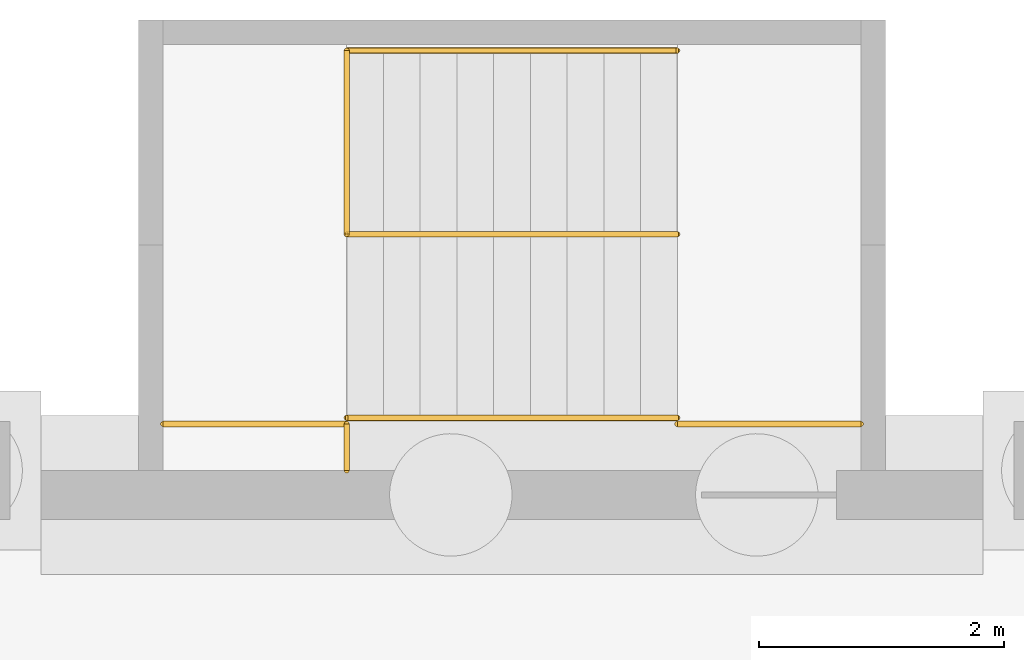
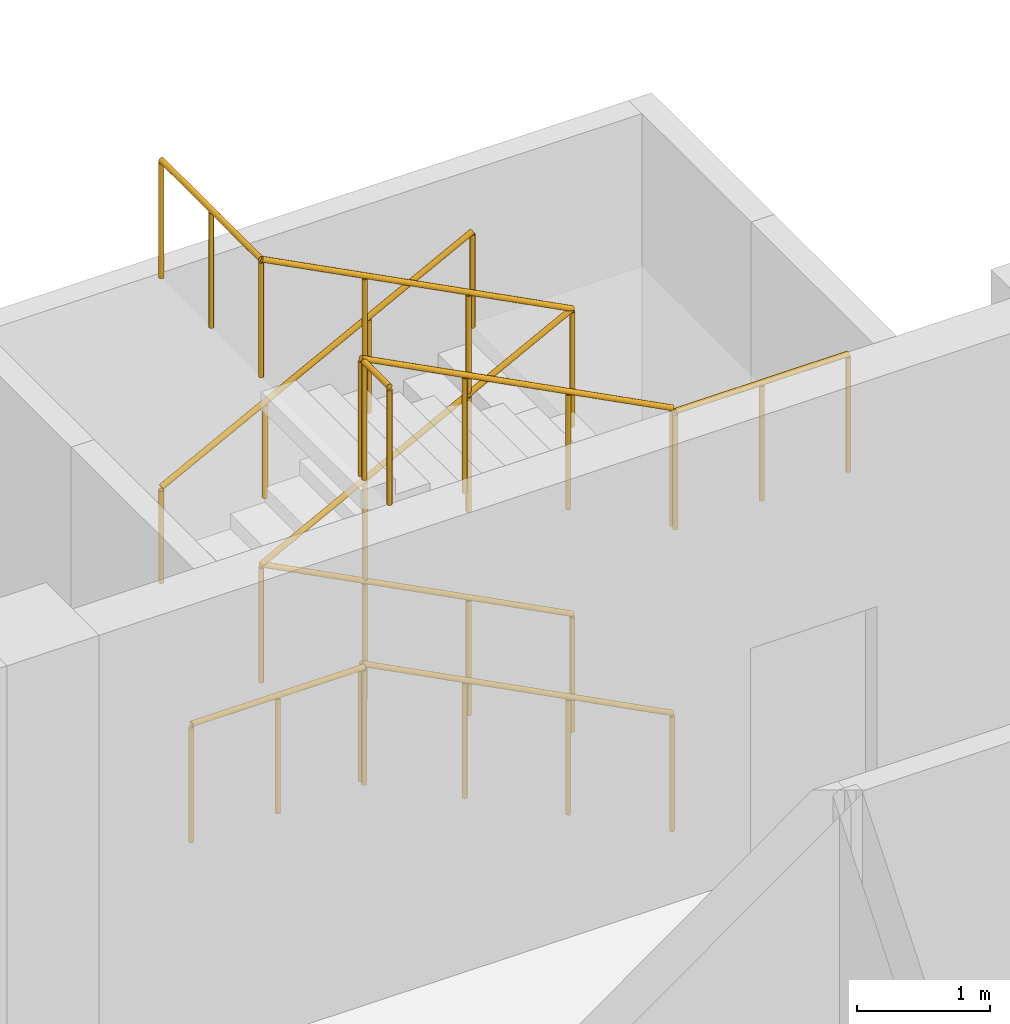
# One storey, part 26 of 29: 10 railings.
"""IFC4 building model written with IfcOpenShell, lengths in metres."""

from ifc_helpers import new_model, si_unit, direction, frame, origin, origin_2d, place, context, subcontext, project, spatial, circle, extrude, material, type_object, element, save


model = new_model("IFC4")

# Units and contexts
model_context = context("Model", 3, precision=1e-05, world=origin(), true_north=direction((0.0, 1.0)))
body_context = subcontext(model_context, "Body", "Model", "MODEL_VIEW")
ifc_project = project(units=[si_unit("LENGTHUNIT", "METRE"), si_unit("AREAUNIT", "SQUARE_METRE"), si_unit("VOLUMEUNIT", "CUBIC_METRE"), si_unit("PLANEANGLEUNIT", "RADIAN"), si_unit("MASSUNIT", "GRAM", prefix="KILO")], contexts=[model_context])

# Site, building, storey
site_placement = place(None, origin())
site = spatial("IfcSite", under=ifc_project, at=site_placement, CompositionType="ELEMENT")
building_placement = place(site_placement, origin())
building = spatial("IfcBuilding", under=site, at=building_placement, Name="Aravalli Gate Trade Fair Centre", CompositionType="ELEMENT")
storey_placement = place(building_placement, frame((0.0, 0.0, -8.39990234375)))
storey = spatial("IfcBuildingStorey", under=building, at=storey_placement, Name="B2", CompositionType="ELEMENT", Elevation=-8.39990234375)

# Railings
ifc_material = material(Name="Steel E350", Category="steel")
railing_type_1 = type_object("IfcRailingType", Name="Basement stair guard 1100", PredefinedType="GUARDRAIL", material=ifc_material)
railing_1_placement = place(storey_placement, frame((119.85009765625, 134.929931640625, 0.0)))
element("IfcRailing", 1, at=railing_1_placement, inside=storey, type_object=railing_type_1, Name="Basement stair N4 guard A B2", PredefinedType="GUARDRAIL", context=body_context, shape_type="SweptSolid", body=[
    extrude(circle(Radius=0.02392578125, at=origin_2d()), frame((0.0, 0.0, 1.076171875), z_axis=(-0.887781257544, 0.0, 0.460265617609), x_axis=(0.0, -1.0, 0.0)), (0.0, 0.0, 1.0), 3.04150390625),
    extrude(circle(Radius=0.02099609375, at=origin_2d()), origin(), (0.0, 0.0, 1.0), 1.052001953125),
    extrude(circle(Radius=0.02099609375, at=origin_2d()), frame((-0.900146484375, 0.0, 0.466552734375)), (0.0, 0.0, 1.0), 1.052001953125),
    extrude(circle(Radius=0.02099609375, at=origin_2d()), frame((-1.800048828125, 0.0, 0.933349609375)), (0.0, 0.0, 1.0), 1.052001953125),
    extrude(circle(Radius=0.02099609375, at=origin_2d()), frame((-2.7001953125, 0.0, 1.39990234375)), (0.0, 0.0, 1.0), 1.052001953125),
])
railing_2_placement = place(storey_placement, frame((117.14990234375, 134.929931640625, 1.39990234375)))
element("IfcRailing", 2, at=railing_2_placement, inside=storey, type_object=railing_type_1, Name="Basement stair N4 guard B B2", PredefinedType="GUARDRAIL", context=body_context, shape_type="SweptSolid", body=[
    extrude(circle(Radius=0.02392578125, at=origin_2d()), frame((0.0, 0.0, 1.076171875), z_axis=(0.887781257544, 0.0, 0.460265617609), x_axis=(0.0, 1.0, 0.0)), (0.0, 0.0, 1.0), 3.04150390625),
    extrude(circle(Radius=0.02099609375, at=origin_2d()), origin(), (0.0, 0.0, 1.0), 1.052001953125),
    extrude(circle(Radius=0.02099609375, at=origin_2d()), frame((0.900146484375, 0.0, 0.466552734375)), (0.0, 0.0, 1.0), 1.052001953125),
    extrude(circle(Radius=0.02099609375, at=origin_2d()), frame((1.800048828125, 0.0, 0.933349609375)), (0.0, 0.0, 1.0), 1.052001953125),
    extrude(circle(Radius=0.02099609375, at=origin_2d()), frame((2.7001953125, 0.0, 1.39990234375)), (0.0, 0.0, 1.0), 1.052001953125),
])
railing_3_placement = place(storey_placement, frame((119.85009765625, 134.929931640625, 2.7998046875)))
element("IfcRailing", 3, at=railing_3_placement, inside=storey, type_object=railing_type_1, Name="Basement stair N4 guard C B2", PredefinedType="GUARDRAIL", context=body_context, shape_type="SweptSolid", body=[
    extrude(circle(Radius=0.02392578125, at=origin_2d()), frame((0.0, 0.0, 1.076171875), z_axis=(-0.887748457143, 0.0, 0.460328878998), x_axis=(0.0, -1.0, 0.0)), (0.0, 0.0, 1.0), 3.04150390625),
    extrude(circle(Radius=0.02099609375, at=origin_2d()), origin(), (0.0, 0.0, 1.0), 1.052001953125),
    extrude(circle(Radius=0.02099609375, at=origin_2d()), frame((-0.900146484375, 0.0, 0.466796875)), (0.0, 0.0, 1.0), 1.052001953125),
    extrude(circle(Radius=0.02099609375, at=origin_2d()), frame((-1.800048828125, 0.0, 0.933349609375)), (0.0, 0.0, 1.0), 1.052001953125),
    extrude(circle(Radius=0.02099609375, at=origin_2d()), frame((-2.7001953125, 0.0, 1.400146484375)), (0.0, 0.0, 1.0), 1.052001953125),
])
railing_4_placement = place(storey_placement, frame((119.85009765625, 133.429931640625, 0.0)))
element("IfcRailing", 4, at=railing_4_placement, inside=storey, type_object=railing_type_1, Name="Basement stair N4 guard A B2", PredefinedType="GUARDRAIL", context=body_context, shape_type="SweptSolid", body=[
    extrude(circle(Radius=0.02392578125, at=origin_2d()), frame((0.0, 0.0, 1.076171875), z_axis=(-0.887781257544, 0.0, 0.460265617609), x_axis=(0.0, -1.0, 0.0)), (0.0, 0.0, 1.0), 3.04150390625),
    extrude(circle(Radius=0.02099609375, at=origin_2d()), origin(), (0.0, 0.0, 1.0), 1.052001953125),
    extrude(circle(Radius=0.02099609375, at=origin_2d()), frame((-0.900146484375, 0.0, 0.466552734375)), (0.0, 0.0, 1.0), 1.052001953125),
    extrude(circle(Radius=0.02099609375, at=origin_2d()), frame((-1.800048828125, 0.0, 0.933349609375)), (0.0, 0.0, 1.0), 1.052001953125),
    extrude(circle(Radius=0.02099609375, at=origin_2d()), frame((-2.7001953125, 0.0, 1.39990234375)), (0.0, 0.0, 1.0), 1.052001953125),
])
railing_5_placement = place(storey_placement, frame((119.85009765625, 133.429931640625, 2.7998046875)))
element("IfcRailing", 5, at=railing_5_placement, inside=storey, type_object=railing_type_1, Name="Basement stair N4 guard C B2", PredefinedType="GUARDRAIL", context=body_context, shape_type="SweptSolid", body=[
    extrude(circle(Radius=0.02392578125, at=origin_2d()), frame((0.0, 0.0, 1.076171875), z_axis=(-0.887748457143, 0.0, 0.460328878998), x_axis=(0.0, -1.0, 0.0)), (0.0, 0.0, 1.0), 3.04150390625),
    extrude(circle(Radius=0.02099609375, at=origin_2d()), origin(), (0.0, 0.0, 1.0), 1.052001953125),
    extrude(circle(Radius=0.02099609375, at=origin_2d()), frame((-0.900146484375, 0.0, 0.466796875)), (0.0, 0.0, 1.0), 1.052001953125),
    extrude(circle(Radius=0.02099609375, at=origin_2d()), frame((-1.800048828125, 0.0, 0.933349609375)), (0.0, 0.0, 1.0), 1.052001953125),
    extrude(circle(Radius=0.02099609375, at=origin_2d()), frame((-2.7001953125, 0.0, 1.400146484375)), (0.0, 0.0, 1.0), 1.052001953125),
])
for number, where, name in (
    (6, (117.14990234375, 133.3798828125, 1.39990234375), "Basement stair N4 landing edge guard 1 B2"),
    (7, (121.35009765625, 133.3798828125, 2.7998046875), "Basement stair N4 landing edge guard 2 B2"),
):
    element("IfcRailing", number, at=place(storey_placement, frame(where)), inside=storey, type_object=railing_type_1, Name=name, PredefinedType="GUARDRAIL", context=body_context, shape_type="SweptSolid", body=[
        extrude(circle(Radius=0.02392578125, at=origin_2d()), frame((0.0, 0.0, 1.076171875), z_axis=(-1.0, 0.0, 0.0), x_axis=(0.0, -1.0, 0.0)), (0.0, 0.0, 1.0), 1.5),
        extrude(circle(Radius=0.02099609375, at=origin_2d()), origin(), (0.0, 0.0, 1.0), 1.052001953125),
        extrude(circle(Radius=0.02099609375, at=origin_2d()), frame((-0.75, 0.0, 0.0)), (0.0, 0.0, 1.0), 1.052001953125),
        extrude(circle(Radius=0.02099609375, at=origin_2d()), frame((-1.5, 0.0, 0.0)), (0.0, 0.0, 1.0), 1.052001953125),
    ])
railing_6_placement = place(storey_placement, frame((117.14990234375, 133.0, 4.199951171875)))
element("IfcRailing", 8, at=railing_6_placement, inside=storey, type_object=railing_type_1, Name="Basement stair N4 strip guard B2", PredefinedType="GUARDRAIL", context=body_context, shape_type="SweptSolid", body=[
    extrude(circle(Radius=0.02392578125, at=origin_2d()), frame((0.0, 0.0, 1.076171875), z_axis=(0.0, 1.0, 0.0), x_axis=(-1.0, 0.0, 0.0)), (0.0, 0.0, 1.0), 0.3798828125),
    extrude(circle(Radius=0.02099609375, at=origin_2d()), origin(), (0.0, 0.0, 1.0), 1.052001953125),
    extrude(circle(Radius=0.02099609375, at=origin_2d()), frame((0.0, 0.3798828125, 0.0)), (0.0, 0.0, 1.0), 1.052001953125),
])
railing_7_placement = place(storey_placement, frame((117.14990234375, 134.929931640625, 4.199951171875)))
element("IfcRailing", 9, at=railing_7_placement, inside=storey, type_object=railing_type_1, Name="Basement stair N4 well guard B2", PredefinedType="GUARDRAIL", context=body_context, shape_type="SweptSolid", body=[
    extrude(circle(Radius=0.02392578125, at=origin_2d()), frame((0.0, 0.0, 1.076171875), z_axis=(0.0, 1.0, 0.0), x_axis=(-1.0, 0.0, 0.0)), (0.0, 0.0, 1.0), 1.5),
    extrude(circle(Radius=0.02099609375, at=origin_2d()), origin(), (0.0, 0.0, 1.0), 1.052001953125),
    extrude(circle(Radius=0.02099609375, at=origin_2d()), frame((0.0, 0.75, 0.0)), (0.0, 0.0, 1.0), 1.052001953125),
    extrude(circle(Radius=0.02099609375, at=origin_2d()), frame((0.0, 1.5, 0.0)), (0.0, 0.0, 1.0), 1.052001953125),
])
railing_type_2 = type_object("IfcRailingType", Name="Basement stair handrail 900", PredefinedType="HANDRAIL", material=ifc_material)
railing_8_placement = place(storey_placement, frame((117.14990234375, 136.429931640625, 1.39990234375)))
element("IfcRailing", 10, at=railing_8_placement, inside=storey, type_object=railing_type_2, Name="Basement stair N4 handrail B B2", PredefinedType="HANDRAIL", context=body_context, shape_type="SweptSolid", body=[
    extrude(circle(Radius=0.02392578125, at=origin_2d()), frame((0.0, 0.0, 0.8759765625), z_axis=(0.887781257544, 0.0, 0.460265617609), x_axis=(0.0, 1.0, 0.0)), (0.0, 0.0, 1.0), 3.04150390625),
    extrude(circle(Radius=0.02099609375, at=origin_2d()), origin(), (0.0, 0.0, 1.0), 0.851806640625),
    extrude(circle(Radius=0.02099609375, at=origin_2d()), frame((0.900146484375, 0.0, 0.466552734375)), (0.0, 0.0, 1.0), 0.851806640625),
    extrude(circle(Radius=0.02099609375, at=origin_2d()), frame((1.800048828125, 0.0, 0.933349609375)), (0.0, 0.0, 1.0), 0.851806640625),
    extrude(circle(Radius=0.02099609375, at=origin_2d()), frame((2.7001953125, 0.0, 1.39990234375)), (0.0, 0.0, 1.0), 0.851806640625),
])

save(model, "model.ifc")
